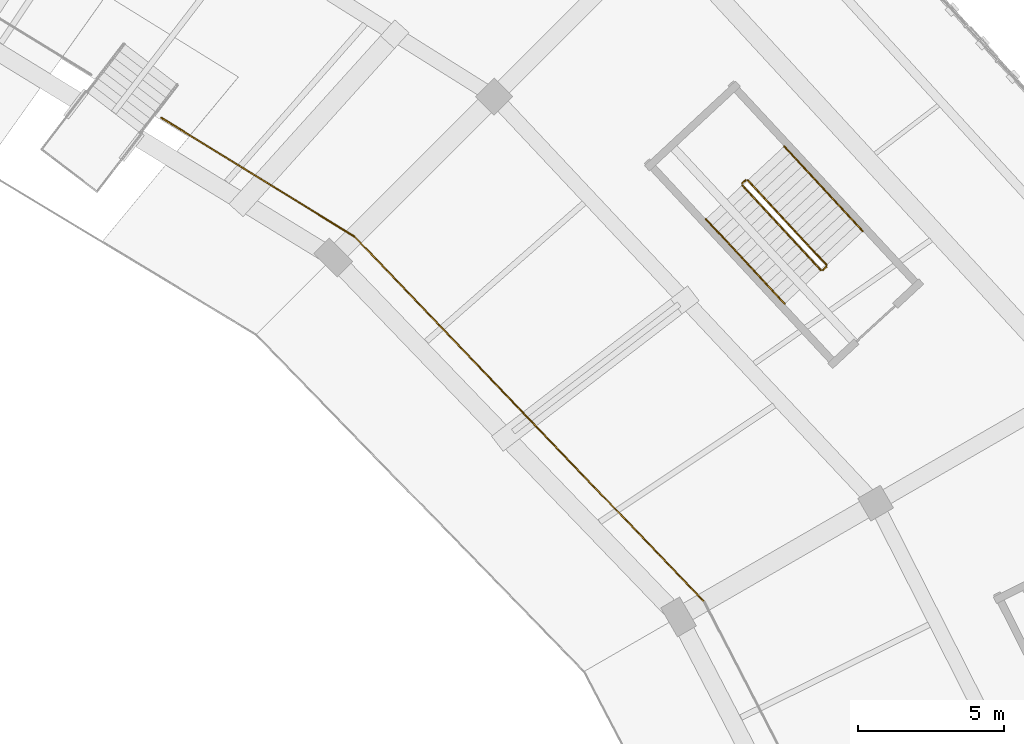
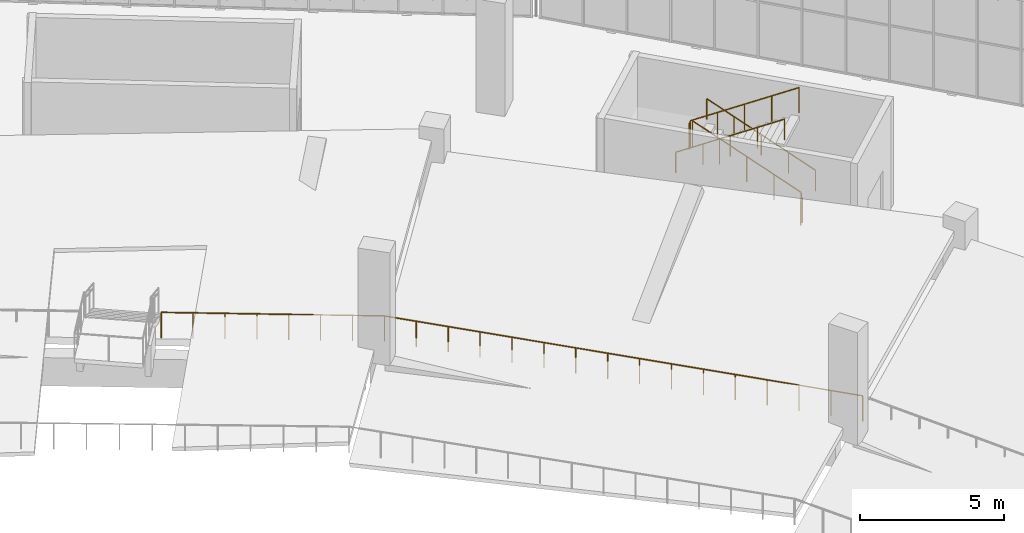
# One storey, part 148 of 152: 8 railings.
"""IFC4 building model written with IfcOpenShell, lengths in metres."""

from ifc_helpers import new_model, si_unit, direction, frame, origin, origin_2d, place, context, subcontext, project, spatial, circle, extrude, material, type_object, element, save


model = new_model("IFC4")

# Units and contexts
model_context = context("Model", 3, precision=1e-05, world=origin(), true_north=direction((0.0, 1.0)))
body_context = subcontext(model_context, "Body", "Model", "MODEL_VIEW")
ifc_project = project(units=[si_unit("LENGTHUNIT", "METRE"), si_unit("AREAUNIT", "SQUARE_METRE"), si_unit("VOLUMEUNIT", "CUBIC_METRE"), si_unit("PLANEANGLEUNIT", "RADIAN"), si_unit("MASSUNIT", "GRAM", prefix="KILO")], contexts=[model_context])

# Site, building, storey
site_placement = place(None, origin())
site = spatial("IfcSite", under=ifc_project, at=site_placement, CompositionType="ELEMENT")
building_placement = place(site_placement, origin())
building = spatial("IfcBuilding", under=site, at=building_placement, Name="Zevraka Park Crest Stadium", CompositionType="ELEMENT")
storey_placement = place(building_placement, frame((0.0, 0.0, 15.0)))
storey = spatial("IfcBuildingStorey", under=building, at=storey_placement, Name="L03", CompositionType="ELEMENT", Elevation=15.0)

# Railings
ifc_material_1 = material(Name="Galvanised and bronze-finished steel balustrade", Category="steel")
railing_type_1 = type_object("IfcRailingType", Name="GR01", PredefinedType="GUARDRAIL", material=ifc_material_1)
railing_1_placement = place(storey_placement, frame((177.39697265625, 122.26806640625, 0.0)))
element("IfcRailing", 1, at=railing_1_placement, inside=storey, type_object=railing_type_1, Name="Deck Edge Protection Guardrail GR01 L03-66", PredefinedType="GUARDRAIL", context=body_context, shape_type="SweptSolid", body=[
    extrude(circle(Radius=0.02392578125, at=origin_2d()), frame((0.0, 0.0, 1.076171875), z_axis=(-0.691696813611, 0.722188007405, 0.0), x_axis=(-0.722188007405, -0.691696813611, 0.0)), (0.0, 0.0, 1.0), 17.343017578125),
    extrude(circle(Radius=0.02099609375, at=origin_2d()), origin(), (0.0, 0.0, 1.0), 1.052001953125),
    extrude(circle(Radius=0.02099609375, at=origin_2d()), frame((-0.7998046875, 0.8349609375, 0.0)), (0.0, 0.0, 1.0), 1.052001953125),
    extrude(circle(Radius=0.02099609375, at=origin_2d()), frame((-1.599365234375, 1.669921875, 0.0)), (0.0, 0.0, 1.0), 1.052001953125),
    extrude(circle(Radius=0.02099609375, at=origin_2d()), frame((-2.399169921875, 2.5048828125, 0.0)), (0.0, 0.0, 1.0), 1.052001953125),
    extrude(circle(Radius=0.02099609375, at=origin_2d()), frame((-3.198974609375, 3.340087890625, 0.0)), (0.0, 0.0, 1.0), 1.052001953125),
    extrude(circle(Radius=0.02099609375, at=origin_2d()), frame((-3.998779296875, 4.175048828125, 0.0)), (0.0, 0.0, 1.0), 1.052001953125),
    extrude(circle(Radius=0.02099609375, at=origin_2d()), frame((-4.79833984375, 5.010009765625, 0.0)), (0.0, 0.0, 1.0), 1.052001953125),
    extrude(circle(Radius=0.02099609375, at=origin_2d()), frame((-5.59814453125, 5.844970703125, 0.0)), (0.0, 0.0, 1.0), 1.052001953125),
    extrude(circle(Radius=0.02099609375, at=origin_2d()), frame((-6.39794921875, 6.679931640625, 0.0)), (0.0, 0.0, 1.0), 1.052001953125),
    extrude(circle(Radius=0.02099609375, at=origin_2d()), frame((-7.19775390625, 7.514892578125, 0.0)), (0.0, 0.0, 1.0), 1.052001953125),
    extrude(circle(Radius=0.02099609375, at=origin_2d()), frame((-7.997314453125, 8.349853515625, 0.0)), (0.0, 0.0, 1.0), 1.052001953125),
    extrude(circle(Radius=0.02099609375, at=origin_2d()), frame((-8.797119140625, 9.184814453125, 0.0)), (0.0, 0.0, 1.0), 1.052001953125),
    extrude(circle(Radius=0.02099609375, at=origin_2d()), frame((-9.596923828125, 10.02001953125, 0.0)), (0.0, 0.0, 1.0), 1.052001953125),
    extrude(circle(Radius=0.02099609375, at=origin_2d()), frame((-10.396728515625, 10.85498046875, 0.0)), (0.0, 0.0, 1.0), 1.052001953125),
    extrude(circle(Radius=0.02099609375, at=origin_2d()), frame((-11.1962890625, 11.68994140625, 0.0)), (0.0, 0.0, 1.0), 1.052001953125),
    extrude(circle(Radius=0.02099609375, at=origin_2d()), frame((-11.99609375, 12.52490234375, 0.0)), (0.0, 0.0, 1.0), 1.052001953125),
])
railing_2_placement = place(storey_placement, frame((165.40087890625, 134.79296875, 0.0)))
element("IfcRailing", 2, at=railing_2_placement, inside=storey, type_object=railing_type_1, Name="Deck Edge Protection Guardrail GR01 L03-67", PredefinedType="GUARDRAIL", context=body_context, shape_type="SweptSolid", body=[
    extrude(circle(Radius=0.02392578125, at=origin_2d()), frame((0.0, 0.0, 1.076171875), z_axis=(-0.851680960091, 0.52406062838, 0.0), x_axis=(-0.52406062838, -0.851680960091, 0.0)), (0.0, 0.0, 1.0), 7.77392578125),
    extrude(circle(Radius=0.02099609375, at=origin_2d()), origin(), (0.0, 0.0, 1.0), 1.052001953125),
    extrude(circle(Radius=0.02099609375, at=origin_2d()), frame((-0.94580078125, 0.58203125, 0.0)), (0.0, 0.0, 1.0), 1.052001953125),
    extrude(circle(Radius=0.02099609375, at=origin_2d()), frame((-1.8916015625, 1.1640625, 0.0)), (0.0, 0.0, 1.0), 1.052001953125),
    extrude(circle(Radius=0.02099609375, at=origin_2d()), frame((-2.83740234375, 1.74609375, 0.0)), (0.0, 0.0, 1.0), 1.052001953125),
    extrude(circle(Radius=0.02099609375, at=origin_2d()), frame((-3.783447265625, 2.327880859375, 0.0)), (0.0, 0.0, 1.0), 1.052001953125),
    extrude(circle(Radius=0.02099609375, at=origin_2d()), frame((-4.729248046875, 2.909912109375, 0.0)), (0.0, 0.0, 1.0), 1.052001953125),
    extrude(circle(Radius=0.02099609375, at=origin_2d()), frame((-5.675048828125, 3.491943359375, 0.0)), (0.0, 0.0, 1.0), 1.052001953125),
    extrude(circle(Radius=0.02099609375, at=origin_2d()), frame((-6.620849609375, 4.073974609375, 0.0)), (0.0, 0.0, 1.0), 1.052001953125),
])
ifc_material_2 = material(Name="Powder-coated tubular steel stairwell guard", Category="steel")
railing_type_2 = type_object("IfcRailingType", Name="GR03", PredefinedType="GUARDRAIL", material=ifc_material_2)
railing_3_placement = place(storey_placement, frame((181.589599609375, 133.81787109375, 0.17138671875)))
element("IfcRailing", 3, at=railing_3_placement, inside=storey, type_object=railing_type_2, Name="L03 ST03 stair guard 1", PredefinedType="GUARDRAIL", context=body_context, shape_type="SweptSolid", body=[
    extrude(circle(Radius=0.02392578125, at=origin_2d()), frame((0.0, 0.0, 1.076171875), z_axis=(-0.593016024023, 0.638962957094, 0.489957482557), x_axis=(-0.732968909084, -0.680262139412, 0.0)), (0.0, 0.0, 1.0), 4.54833984375),
    extrude(circle(Radius=0.02099609375, at=origin_2d()), origin(), (0.0, 0.0, 1.0), 1.052001953125),
    extrude(circle(Radius=0.02099609375, at=origin_2d()), frame((-0.67431640625, 0.7265625, 0.55712890625)), (0.0, 0.0, 1.0), 1.052001953125),
    extrude(circle(Radius=0.02099609375, at=origin_2d()), frame((-1.3486328125, 1.453125, 1.1142578125)), (0.0, 0.0, 1.0), 1.052001953125),
    extrude(circle(Radius=0.02099609375, at=origin_2d()), frame((-2.02294921875, 2.1796875, 1.67138671875)), (0.0, 0.0, 1.0), 1.052001953125),
    extrude(circle(Radius=0.02099609375, at=origin_2d()), frame((-2.697265625, 2.90625, 2.228515625)), (0.0, 0.0, 1.0), 1.052001953125),
])
railing_4_placement = place(storey_placement, frame((178.82177734375, 136.726806640625, 2.39990234375)))
element("IfcRailing", 4, at=railing_4_placement, inside=storey, type_object=railing_type_2, Name="L03 ST03 stair guard 2", PredefinedType="GUARDRAIL", context=body_context, shape_type="SweptSolid", body=[
    extrude(circle(Radius=0.02392578125, at=origin_2d()), frame((0.0, 0.0, 1.076171875), z_axis=(-0.732576022975, -0.680685221348, 0.0), x_axis=(0.680685221348, -0.732576022975, 0.0)), (0.0, 0.0, 1.0), 0.159912109375),
    extrude(circle(Radius=0.02099609375, at=origin_2d()), origin(), (0.0, 0.0, 1.0), 1.052001953125),
    extrude(circle(Radius=0.02099609375, at=origin_2d()), frame((-0.1171875, -0.10888671875, 0.0)), (0.0, 0.0, 1.0), 1.052001953125),
])
railing_5_placement = place(storey_placement, frame((178.701904296875, 136.54736328125, 2.571533203125)))
element("IfcRailing", 5, at=railing_5_placement, inside=storey, type_object=railing_type_2, Name="L03 ST03 stair guard 3", PredefinedType="GUARDRAIL", context=body_context, shape_type="SweptSolid", body=[
    extrude(circle(Radius=0.02392578125, at=origin_2d()), frame((0.0, 0.0, 1.076171875), z_axis=(0.593016024023, -0.638962957094, 0.489957482557), x_axis=(0.732968909084, 0.680262139412, 0.0)), (0.0, 0.0, 1.0), 4.54833984375),
    extrude(circle(Radius=0.02099609375, at=origin_2d()), origin(), (0.0, 0.0, 1.0), 1.052001953125),
    extrude(circle(Radius=0.02099609375, at=origin_2d()), frame((0.67431640625, -0.7265625, 0.55712890625)), (0.0, 0.0, 1.0), 1.052001953125),
    extrude(circle(Radius=0.02099609375, at=origin_2d()), frame((1.3486328125, -1.453125, 1.1142578125)), (0.0, 0.0, 1.0), 1.052001953125),
    extrude(circle(Radius=0.02099609375, at=origin_2d()), frame((2.02294921875, -2.1796875, 1.67138671875)), (0.0, 0.0, 1.0), 1.052001953125),
    extrude(circle(Radius=0.02099609375, at=origin_2d()), frame((2.697265625, -2.90625, 2.228515625)), (0.0, 0.0, 1.0), 1.052001953125),
])
railing_6_placement = place(storey_placement, frame((181.5869140625, 133.747314453125, 0.0)))
element("IfcRailing", 6, at=railing_6_placement, inside=storey, type_object=railing_type_2, Name="L03 ST03 stair guard 4", PredefinedType="GUARDRAIL", context=body_context, shape_type="SweptSolid", body=[
    extrude(circle(Radius=0.02392578125, at=origin_2d()), frame((0.0, 0.0, 1.076171875), z_axis=(-0.732576022975, -0.680685221348, 0.0), x_axis=(0.680685221348, -0.732576022975, 0.0)), (0.0, 0.0, 1.0), 0.159912109375),
    extrude(circle(Radius=0.02099609375, at=origin_2d()), origin(), (0.0, 0.0, 1.0), 1.052001953125),
    extrude(circle(Radius=0.02099609375, at=origin_2d()), frame((-0.1171875, -0.10888671875, 0.0)), (0.0, 0.0, 1.0), 1.052001953125),
])
ifc_material_3 = material(Name="Brushed stainless steel continuous handrail", Category="steel")
railing_type_3 = type_object("IfcRailingType", Name="HR01", PredefinedType="HANDRAIL", material=ifc_material_3)
railing_7_placement = place(storey_placement, frame((182.835693359375, 134.974365234375, 0.17138671875)))
element("IfcRailing", 7, at=railing_7_placement, inside=storey, type_object=railing_type_3, Name="L03 ST03 stair handrail 1", PredefinedType="HANDRAIL", context=body_context, shape_type="SweptSolid", body=[
    extrude(circle(Radius=0.02392578125, at=origin_2d()), frame((0.0, 0.0, 0.8759765625), z_axis=(-0.593016024023, 0.638962957094, 0.489957482557), x_axis=(-0.732968909084, -0.680262139412, 0.0)), (0.0, 0.0, 1.0), 4.54833984375),
    extrude(circle(Radius=0.02099609375, at=origin_2d()), origin(), (0.0, 0.0, 1.0), 0.851806640625),
    extrude(circle(Radius=0.02099609375, at=origin_2d()), frame((-0.67431640625, 0.7265625, 0.55712890625)), (0.0, 0.0, 1.0), 0.851806640625),
    extrude(circle(Radius=0.02099609375, at=origin_2d()), frame((-1.3486328125, 1.453125, 1.1142578125)), (0.0, 0.0, 1.0), 0.851806640625),
    extrude(circle(Radius=0.02099609375, at=origin_2d()), frame((-2.02294921875, 2.1796875, 1.67138671875)), (0.0, 0.0, 1.0), 0.851806640625),
    extrude(circle(Radius=0.02099609375, at=origin_2d()), frame((-2.697265625, 2.90625, 2.228515625)), (0.0, 0.0, 1.0), 0.851806640625),
])
railing_8_placement = place(storey_placement, frame((177.455810546875, 135.390869140625, 2.571533203125)))
element("IfcRailing", 8, at=railing_8_placement, inside=storey, type_object=railing_type_3, Name="L03 ST03 stair handrail 2", PredefinedType="HANDRAIL", context=body_context, shape_type="SweptSolid", body=[
    extrude(circle(Radius=0.02392578125, at=origin_2d()), frame((0.0, 0.0, 0.8759765625), z_axis=(0.593016024023, -0.638962957094, 0.489957482557), x_axis=(0.732968909084, 0.680262139412, 0.0)), (0.0, 0.0, 1.0), 4.54833984375),
    extrude(circle(Radius=0.02099609375, at=origin_2d()), origin(), (0.0, 0.0, 1.0), 0.851806640625),
    extrude(circle(Radius=0.02099609375, at=origin_2d()), frame((0.67431640625, -0.7265625, 0.55712890625)), (0.0, 0.0, 1.0), 0.851806640625),
    extrude(circle(Radius=0.02099609375, at=origin_2d()), frame((1.3486328125, -1.453125, 1.1142578125)), (0.0, 0.0, 1.0), 0.851806640625),
    extrude(circle(Radius=0.02099609375, at=origin_2d()), frame((2.02294921875, -2.1796875, 1.67138671875)), (0.0, 0.0, 1.0), 0.851806640625),
    extrude(circle(Radius=0.02099609375, at=origin_2d()), frame((2.697265625, -2.90625, 2.228515625)), (0.0, 0.0, 1.0), 0.851806640625),
])

save(model, "model.ifc")
